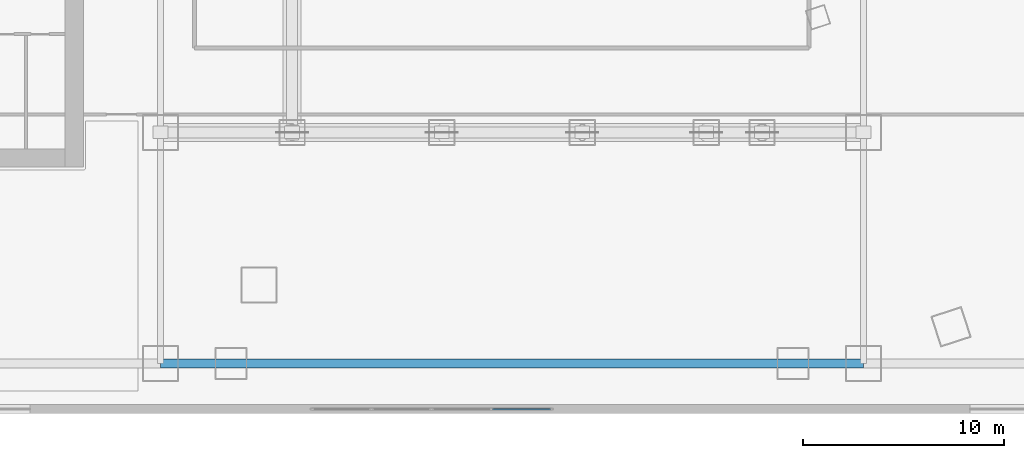
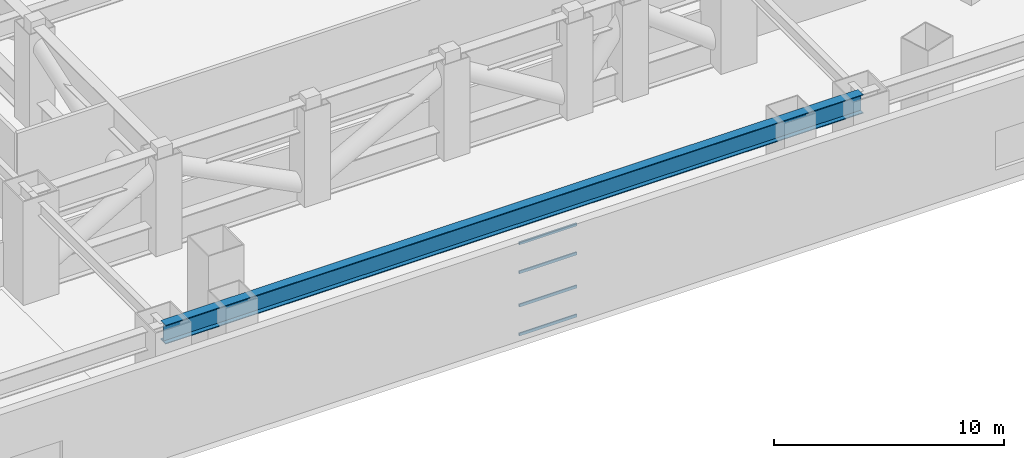
# One storey, part 7 of 34: 4 members, 1 beam, 1 element without a shape of its own.
"""IFC4 building model written with IfcOpenShell, lengths in metres."""

from ifc_helpers import new_model, si_unit, direction, frame, origin, origin_2d, place, context, subcontext, project, spatial, hollow_rectangle, i_section, extrude, material, layer, layer_set, material_profile, profile_set, type_object, element, aggregate, save


model = new_model("IFC4")

# Units and contexts
model_context = context("Model", 3, precision=1e-05, world=origin(), true_north=direction((0.0, 1.0)))
body_context = subcontext(model_context, "Body", "Model", "MODEL_VIEW")
ifc_project = project(units=[si_unit("LENGTHUNIT", "METRE"), si_unit("AREAUNIT", "SQUARE_METRE"), si_unit("VOLUMEUNIT", "CUBIC_METRE"), si_unit("PLANEANGLEUNIT", "RADIAN"), si_unit("MASSUNIT", "GRAM", prefix="KILO")], contexts=[model_context])

# Site, building, storey
site_placement = place(None, origin())
site = spatial("IfcSite", under=ifc_project, at=site_placement, CompositionType="ELEMENT")
building_placement = place(site_placement, origin())
building = spatial("IfcBuilding", under=site, at=building_placement, Name="Qiaolan Cultural Towers", CompositionType="ELEMENT")
storey_placement = place(building_placement, frame((0.0, 0.0, 16.5)))
storey = spatial("IfcBuildingStorey", under=building, at=storey_placement, Name="L03", CompositionType="ELEMENT", Elevation=16.5)

# Beam
ifc_material_1 = material(Name="Steel Q390GJB", Category="steel")
ifc_material_profile_1 = material_profile(ifc_material_1, i_section(OverallWidth=0.449951171875, OverallDepth=1.0, WebThickness=0.02392578125, FlangeThickness=0.0400390625, at=origin_2d()), Name="BH1000x450x24x40")
ifc_profile_set_1 = profile_set([ifc_material_profile_1], Name="Steel Q390GJB")
beam_type = type_object("IfcBeamType", Name="BM-BH1000x450x24x40", PredefinedType="BEAM", material=ifc_profile_set_1)
beam_placement = place(storey_placement, frame((42.5, 2.5, 4.699951171875), z_axis=(1.0, 0.0, 0.0), x_axis=(0.0, 1.0, 0.0)))
element("IfcBeam", 1, at=beam_placement, inside=storey, type_object=beam_type, Name="L03 Podium Primary Girder Y=2.5", PredefinedType="BEAM", context=body_context, shape_type="SweptSolid", body=[
    extrude(i_section(OverallWidth=0.449951171875, OverallDepth=1.0, WebThickness=0.02392578125, FlangeThickness=0.0400390625, at=origin_2d()), origin(), (0.0, 0.0, 1.0), 35.0),
])

# Curtain wall, members
ifc_material_2 = material(Name="Unitized Anodized Aluminium Curtain Wall System", Category="aluminium")
ifc_layer = layer(ifc_material_2, 0.199951171875)
ifc_layer_set = layer_set([ifc_layer], Name="Unitized Anodized Aluminium Curtain Wall System")
curtain_wall_type = type_object("IfcCurtainWallType", Name="CWS-01", PredefinedType="NOTDEFINED", material=ifc_layer_set)
curtain_wall_placement = place(storey_placement, origin())
curtain_wall = element("IfcCurtainWall", 2, at=curtain_wall_placement, inside=storey, type_object=curtain_wall_type, Name="L03 South Atrium Curtain Wall", PredefinedType="NOTDEFINED")
ifc_material_3 = material(Name="Extruded Aluminium 6063-T6", Category="aluminium")
ifc_material_profile_2 = material_profile(ifc_material_3, hollow_rectangle(XDim=0.06494140625, YDim=0.14990234375, WallThickness=0.00390625, at=origin_2d()), Name="CWT-150x65x4")
ifc_profile_set_2 = profile_set([ifc_material_profile_2], Name="Extruded Aluminium 6063-T6")
member_type = type_object("IfcMemberType", Name="CWS-01-TRN", PredefinedType="USERDEFINED", material=ifc_profile_set_2)
member_1_placement = place(storey_placement, frame((59.03759765625, 0.219970703125, 0.1826171875), z_axis=(1.0, 0.0, 0.0), x_axis=(0.0, 1.0, 0.0)))
member_1 = element("IfcMember", 3, at=member_1_placement, type_object=member_type, Name="CW-1 transom 4.1", ObjectType="TRANSOM", PredefinedType="USERDEFINED", context=body_context, shape_type="SweptSolid", body=[
    extrude(hollow_rectangle(XDim=0.06494140625, YDim=0.14990234375, WallThickness=0.00390625, at=origin_2d()), origin(), (0.0, 0.0, 1.0), 2.887451171875),
])
member_2_placement = place(storey_placement, frame((59.03759765625, 0.219970703125, 1.719970703125), z_axis=(1.0, 0.0, 0.0), x_axis=(0.0, 1.0, 0.0)))
member_2 = element("IfcMember", 4, at=member_2_placement, type_object=member_type, Name="CW-1 transom 4.2", ObjectType="TRANSOM", PredefinedType="USERDEFINED", context=body_context, shape_type="SweptSolid", body=[
    extrude(hollow_rectangle(XDim=0.06494140625, YDim=0.14990234375, WallThickness=0.00390625, at=origin_2d()), origin(), (0.0, 0.0, 1.0), 2.887451171875),
])
member_3_placement = place(storey_placement, frame((59.03759765625, 0.219970703125, 3.47998046875), z_axis=(1.0, 0.0, 0.0), x_axis=(0.0, 1.0, 0.0)))
member_3 = element("IfcMember", 5, at=member_3_placement, type_object=member_type, Name="CW-1 transom 4.3", ObjectType="TRANSOM", PredefinedType="USERDEFINED", context=body_context, shape_type="SweptSolid", body=[
    extrude(hollow_rectangle(XDim=0.06494140625, YDim=0.14990234375, WallThickness=0.00390625, at=origin_2d()), origin(), (0.0, 0.0, 1.0), 2.887451171875),
])
member_4_placement = place(storey_placement, frame((59.03759765625, 0.219970703125, 5.017578125), z_axis=(1.0, 0.0, 0.0), x_axis=(0.0, 1.0, 0.0)))
member_4 = element("IfcMember", 6, at=member_4_placement, type_object=member_type, Name="CW-1 transom 4.4", ObjectType="TRANSOM", PredefinedType="USERDEFINED", context=body_context, shape_type="SweptSolid", body=[
    extrude(hollow_rectangle(XDim=0.06494140625, YDim=0.14990234375, WallThickness=0.00390625, at=origin_2d()), origin(), (0.0, 0.0, 1.0), 2.887451171875),
])
aggregate(curtain_wall, [member_1, member_2, member_3, member_4])

save(model, "model.ifc")
